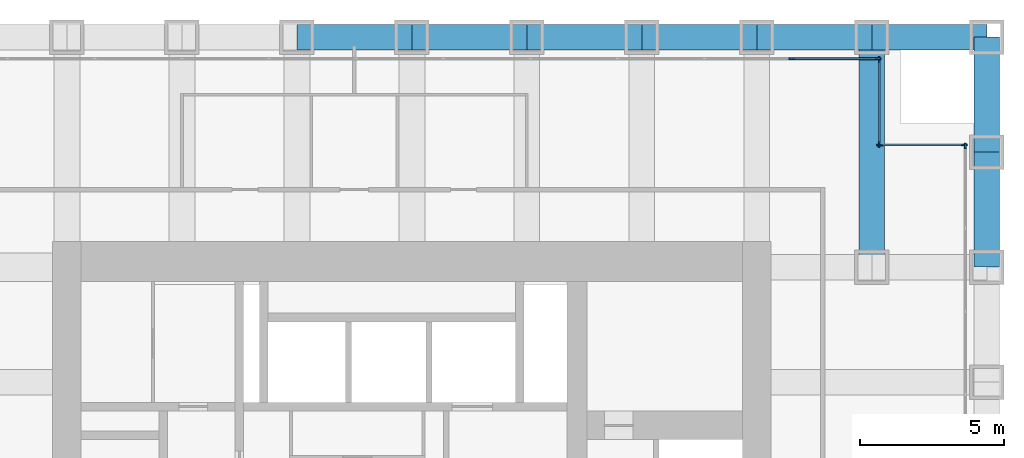
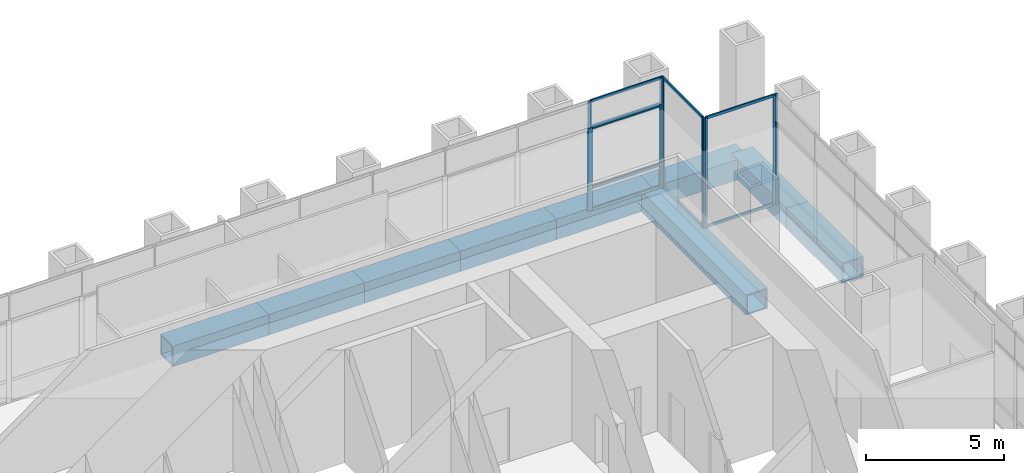
# One storey, part 11 of 18: 19 members, 9 beams, 6 elements without a shape of their own.
"""IFC4 building model written with IfcOpenShell, lengths in metres."""

from ifc_helpers import new_model, si_unit, direction, frame, origin, origin_2d, place, context, subcontext, project, spatial, rectangle, hollow_rectangle, extrude, material, material_profile, profile_set, type_object, element, aggregate, save


model = new_model("IFC4")

# Units and contexts
model_context = context("Model", 3, precision=1e-05, world=origin(), true_north=direction((0.0, 1.0)))
body_context = subcontext(model_context, "Body", "Model", "MODEL_VIEW")
ifc_project = project(units=[si_unit("LENGTHUNIT", "METRE"), si_unit("AREAUNIT", "SQUARE_METRE"), si_unit("VOLUMEUNIT", "CUBIC_METRE"), si_unit("PLANEANGLEUNIT", "RADIAN"), si_unit("MASSUNIT", "GRAM", prefix="KILO")], contexts=[model_context])

# Site, building, storey
site_placement = place(None, origin())
site = spatial("IfcSite", under=ifc_project, at=site_placement, CompositionType="ELEMENT")
building_placement = place(site_placement, origin())
building = spatial("IfcBuilding", under=site, at=building_placement, Name="Rimbunsela Tower", CompositionType="ELEMENT")
storey_placement = place(building_placement, frame((0.0, 0.0, 6.0)))
storey = spatial("IfcBuildingStorey", under=building, at=storey_placement, Name="L01", CompositionType="ELEMENT", Elevation=6.0)

# Beams
ifc_material_1 = material(Name="Steel BJ 55 (fy 410 MPa)", Category="steel")
ifc_material_profile_1 = material_profile(ifc_material_1, hollow_rectangle(XDim=0.89990234375, YDim=0.89990234375, WallThickness=0.06005859375, at=origin_2d()), Name="BOX 900x900x60")
ifc_profile_set_1 = profile_set([ifc_material_profile_1], Name="Steel BJ 55 (fy 410 MPa)")
beam_type = type_object("IfcBeamType", Name="Beam BOX 900x900x60", PredefinedType="BEAM", material=ifc_profile_set_1)
for number, where, z_axis, x_axis, name in (
    (1, (26.0, 44.0, -0.60009765625), (1.0, 0.0, 0.0), (0.0, 1.0, 0.0), "Beam B1 L01"),
    (2, (30.0, 44.0, -0.60009765625), (1.0, 0.0, 0.0), (0.0, 1.0, 0.0), "Beam B1 L01"),
    (3, (34.0, 44.0, -0.60009765625), (1.0, 0.0, 0.0), (0.0, 1.0, 0.0), "Beam B1 L01"),
    (4, (38.0, 44.0, -0.60009765625), (1.0, 0.0, 0.0), (0.0, 1.0, 0.0), "Beam B1 L01"),
    (5, (42.0, 44.0, -0.60009765625), (1.0, 0.0, 0.0), (0.0, 1.0, 0.0), "Beam B1 L01"),
):
    element("IfcBeam", number, at=place(storey_placement, frame(where, z_axis=z_axis, x_axis=x_axis)), inside=storey, type_object=beam_type, Name=name, PredefinedType="BEAM", context=body_context, shape_type="SweptSolid", body=[
        extrude(hollow_rectangle(XDim=0.89990234375, YDim=0.89990234375, WallThickness=0.06005859375, at=origin_2d()), origin(), (0.0, 0.0, 1.0), 4.0),
    ])
beam_placement = place(storey_placement, frame((46.0, 36.0, -0.60009765625), z_axis=(0.0, 1.0, 0.0), x_axis=(-1.0, 0.0, 0.0)))
element("IfcBeam", 6, at=beam_placement, inside=storey, type_object=beam_type, Name="Beam B1 L01", PredefinedType="BEAM", context=body_context, shape_type="SweptSolid", body=[
    extrude(hollow_rectangle(XDim=0.89990234375, YDim=0.89990234375, WallThickness=0.06005859375, at=origin_2d()), origin(), (0.0, 0.0, 1.0), 8.0),
])
for number, where, z_axis, x_axis, name in (
    (7, (46.0, 44.0, -0.60009765625), (1.0, 0.0, 0.0), (0.0, 1.0, 0.0), "Beam B1 L01"),
    (8, (50.0, 36.0, -0.60009765625), (0.0, 1.0, 0.0), (-1.0, 0.0, 0.0), "Beam B1 L01"),
    (9, (50.0, 40.0, -0.60009765625), (0.0, 1.0, 0.0), (-1.0, 0.0, 0.0), "Beam B1 L01"),
):
    element("IfcBeam", number, at=place(storey_placement, frame(where, z_axis=z_axis, x_axis=x_axis)), inside=storey, type_object=beam_type, Name=name, PredefinedType="BEAM", context=body_context, shape_type="SweptSolid", body=[
        extrude(hollow_rectangle(XDim=0.89990234375, YDim=0.89990234375, WallThickness=0.06005859375, at=origin_2d()), origin(), (0.0, 0.0, 1.0), 4.0),
    ])

# Curtain wall, member
ifc_material_2 = material(Name="Aluminium curtain wall", Category="aluminium")
curtain_wall_type_1 = type_object("IfcCurtainWallType", Name="Spandrel wall", PredefinedType="USERDEFINED", material=ifc_material_2)
curtain_wall_1_placement = place(storey_placement, origin())
curtain_wall_1 = element("IfcCurtainWall", 10, at=curtain_wall_1_placement, inside=storey, type_object=curtain_wall_type_1, Name="Spandrel wall L01", ObjectType="SPANDREL WALL", PredefinedType="USERDEFINED")
ifc_material_3 = material(Name="Aluminium mullion", Category="aluminium")
ifc_material_profile_2 = material_profile(ifc_material_3, rectangle(XDim=0.06005859375, YDim=0.159912109375, at=origin_2d()), Name="Mullion 60x160")
ifc_profile_set_2 = profile_set([ifc_material_profile_2], Name="Aluminium mullion")
member_type_1 = type_object("IfcMemberType", Name="Curtain wall mullion 60x160", PredefinedType="MULLION", material=ifc_profile_set_2)
member_1_placement = place(storey_placement, frame((49.25, 40.219970703125, 3.64990234375), z_axis=(0.0, 0.0, 1.0), x_axis=(-1.0, 0.0, 0.0)))
member_1 = element("IfcMember", 11, at=member_1_placement, type_object=member_type_1, Name="CW7 mullion 15", PredefinedType="MULLION", context=body_context, shape_type="SweptSolid", body=[
    extrude(rectangle(XDim=0.06005859375, YDim=0.159912109375, at=origin_2d()), origin(), (0.0, 0.0, 1.0), 1.2001953125),
])
aggregate(curtain_wall_1, [member_1])

# Curtain wall, members
curtain_wall_2_placement = place(storey_placement, origin())
curtain_wall_2 = element("IfcCurtainWall", 12, at=curtain_wall_2_placement, inside=storey, type_object=curtain_wall_type_1, Name="Spandrel wall L01", ObjectType="SPANDREL WALL", PredefinedType="USERDEFINED")
member_2_placement = place(storey_placement, frame((46.219970703125, 43.25, 3.64990234375), z_axis=(0.0, 0.0, 1.0), x_axis=(0.0, -1.0, 0.0)))
member_2 = element("IfcMember", 13, at=member_2_placement, type_object=member_type_1, Name="CW7 mullion 1", PredefinedType="MULLION", context=body_context, shape_type="SweptSolid", body=[
    extrude(rectangle(XDim=0.06005859375, YDim=0.159912109375, at=origin_2d()), origin(), (0.0, 0.0, 1.0), 1.2001953125),
])
member_3_placement = place(storey_placement, frame((43.21875, 43.25, 3.64990234375), z_axis=(0.0, 0.0, 1.0), x_axis=(0.0, -1.0, 0.0)))
member_3 = element("IfcMember", 14, at=member_3_placement, type_object=member_type_1, Name="CW7 mullion 2", PredefinedType="MULLION", context=body_context, shape_type="SweptSolid", body=[
    extrude(rectangle(XDim=0.06005859375, YDim=0.159912109375, at=origin_2d()), origin(), (0.0, 0.0, 1.0), 1.2001953125),
])

# Curtain wall, member
ifc_material_4 = material(Name="Aluminium curtain wall", Category="aluminium")
curtain_wall_type_2 = type_object("IfcCurtainWallType", Name="Podium glazing", PredefinedType="USERDEFINED", material=ifc_material_4)
curtain_wall_3_placement = place(storey_placement, origin())
curtain_wall_3 = element("IfcCurtainWall", 15, at=curtain_wall_3_placement, inside=storey, type_object=curtain_wall_type_2, Name="Podium glazing L01", ObjectType="PODIUM GLAZING", PredefinedType="USERDEFINED")
ifc_material_5 = material(Name="Aluminium mullion", Category="aluminium")
ifc_material_profile_3 = material_profile(ifc_material_5, rectangle(XDim=0.06005859375, YDim=0.199951171875, at=origin_2d()), Name="Mullion 60x200")
ifc_profile_set_3 = profile_set([ifc_material_profile_3], Name="Aluminium mullion")
member_type_2 = type_object("IfcMemberType", Name="Curtain wall mullion 60x200", PredefinedType="MULLION", material=ifc_profile_set_3)
member_4_placement = place(storey_placement, frame((49.25, 40.219970703125, 0.0), z_axis=(0.0, 0.0, 1.0), x_axis=(-1.0, 0.0, 0.0)))
member_4 = element("IfcMember", 16, at=member_4_placement, type_object=member_type_2, Name="CW1 mullion 15", PredefinedType="MULLION", context=body_context, shape_type="SweptSolid", body=[
    extrude(rectangle(XDim=0.06005859375, YDim=0.199951171875, at=origin_2d()), origin(), (0.0, 0.0, 1.0), 3.64990234375),
])
aggregate(curtain_wall_3, [member_4])

# Curtain wall, members
ifc_material_6 = material(Name="Aluminium curtain wall", Category="aluminium")
curtain_wall_type_3 = type_object("IfcCurtainWallType", Name="Corner glazing", PredefinedType="USERDEFINED", material=ifc_material_6)
curtain_wall_4_placement = place(storey_placement, origin())
curtain_wall_4 = element("IfcCurtainWall", 17, at=curtain_wall_4_placement, inside=storey, type_object=curtain_wall_type_3, Name="Corner glazing L01", ObjectType="CORNER GLAZING", PredefinedType="USERDEFINED")
member_5_placement = place(storey_placement, frame((49.219970703125, 40.25, 0.0), z_axis=(0.0, 0.0, 1.0), x_axis=(0.0, -1.0, 0.0)))
member_5 = element("IfcMember", 18, at=member_5_placement, type_object=member_type_2, Name="CW5 mullion 1", PredefinedType="MULLION", context=body_context, shape_type="SweptSolid", body=[
    extrude(rectangle(XDim=0.06005859375, YDim=0.199951171875, at=origin_2d()), origin(), (0.0, 0.0, 1.0), 4.85009765625),
])
member_6_placement = place(storey_placement, frame((46.280029296875, 40.25, 0.0), z_axis=(0.0, 0.0, 1.0), x_axis=(0.0, -1.0, 0.0)))
member_6 = element("IfcMember", 19, at=member_6_placement, type_object=member_type_2, Name="CW5 mullion 2", PredefinedType="MULLION", context=body_context, shape_type="SweptSolid", body=[
    extrude(rectangle(XDim=0.06005859375, YDim=0.199951171875, at=origin_2d()), origin(), (0.0, 0.0, 1.0), 4.85009765625),
])

curtain_wall_5_placement = place(storey_placement, origin())
curtain_wall_5 = element("IfcCurtainWall", 20, at=curtain_wall_5_placement, inside=storey, type_object=curtain_wall_type_3, Name="Corner glazing L01", ObjectType="CORNER GLAZING", PredefinedType="USERDEFINED")
member_7_placement = place(storey_placement, frame((46.25, 40.280029296875, 0.0), z_axis=(0.0, 0.0, 1.0), x_axis=(-1.0, 0.0, 0.0)))
member_7 = element("IfcMember", 21, at=member_7_placement, type_object=member_type_2, Name="CW5 mullion 1", PredefinedType="MULLION", context=body_context, shape_type="SweptSolid", body=[
    extrude(rectangle(XDim=0.06005859375, YDim=0.199951171875, at=origin_2d()), origin(), (0.0, 0.0, 1.0), 4.85009765625),
])
member_8_placement = place(storey_placement, frame((46.25, 43.219970703125, 0.0), z_axis=(0.0, 0.0, 1.0), x_axis=(-1.0, 0.0, 0.0)))
member_8 = element("IfcMember", 22, at=member_8_placement, type_object=member_type_2, Name="CW5 mullion 2", PredefinedType="MULLION", context=body_context, shape_type="SweptSolid", body=[
    extrude(rectangle(XDim=0.06005859375, YDim=0.199951171875, at=origin_2d()), origin(), (0.0, 0.0, 1.0), 4.85009765625),
])

curtain_wall_6_placement = place(storey_placement, origin())
curtain_wall_6 = element("IfcCurtainWall", 23, at=curtain_wall_6_placement, inside=storey, type_object=curtain_wall_type_2, Name="Podium glazing L01", ObjectType="PODIUM GLAZING", PredefinedType="USERDEFINED")
member_9_placement = place(storey_placement, frame((46.219970703125, 43.25, 0.0), z_axis=(0.0, 0.0, 1.0), x_axis=(0.0, -1.0, 0.0)))
member_9 = element("IfcMember", 24, at=member_9_placement, type_object=member_type_2, Name="CW1 mullion 1", PredefinedType="MULLION", context=body_context, shape_type="SweptSolid", body=[
    extrude(rectangle(XDim=0.06005859375, YDim=0.199951171875, at=origin_2d()), origin(), (0.0, 0.0, 1.0), 3.64990234375),
])
member_10_placement = place(storey_placement, frame((43.21875, 43.25, 0.0), z_axis=(0.0, 0.0, 1.0), x_axis=(0.0, -1.0, 0.0)))
member_10 = element("IfcMember", 25, at=member_10_placement, type_object=member_type_2, Name="CW1 mullion 2", PredefinedType="MULLION", context=body_context, shape_type="SweptSolid", body=[
    extrude(rectangle(XDim=0.06005859375, YDim=0.199951171875, at=origin_2d()), origin(), (0.0, 0.0, 1.0), 3.64990234375),
])

# Member
ifc_material_7 = material(Name="Aluminium transom", Category="aluminium")
ifc_material_profile_4 = material_profile(ifc_material_7, rectangle(XDim=0.06005859375, YDim=0.1201171875, at=origin_2d()), Name="Transom 60x120")
ifc_profile_set_4 = profile_set([ifc_material_profile_4], Name="Aluminium transom")
member_type_3 = type_object("IfcMemberType", Name="Curtain wall transom 60x120", PredefinedType="USERDEFINED", material=ifc_profile_set_4)
member_11_placement = place(storey_placement, frame((49.18994140625, 40.25, 0.030029296875), z_axis=(-1.0, 0.0, 0.0), x_axis=(0.0, -1.0, 0.0)))
member_11 = element("IfcMember", 26, at=member_11_placement, type_object=member_type_3, Name="CW5 transom 1.1", ObjectType="TRANSOM", PredefinedType="USERDEFINED", context=body_context, shape_type="SweptSolid", body=[
    extrude(rectangle(XDim=0.06005859375, YDim=0.1201171875, at=origin_2d()), origin(), (0.0, 0.0, 1.0), 2.8798828125),
])

member_12_placement = place(storey_placement, frame((49.18994140625, 40.25, 4.820068359375), z_axis=(-1.0, 0.0, 0.0), x_axis=(0.0, -1.0, 0.0)))
member_12 = element("IfcMember", 27, at=member_12_placement, type_object=member_type_3, Name="CW5 transom 1.2", ObjectType="TRANSOM", PredefinedType="USERDEFINED", context=body_context, shape_type="SweptSolid", body=[
    extrude(rectangle(XDim=0.06005859375, YDim=0.1201171875, at=origin_2d()), origin(), (0.0, 0.0, 1.0), 2.8798828125),
])

aggregate(curtain_wall_4, [member_5, member_6, member_11, member_12])

member_13_placement = place(storey_placement, frame((46.25, 40.31005859375, 0.030029296875), z_axis=(0.0, 1.0, 0.0), x_axis=(-1.0, 0.0, 0.0)))
member_13 = element("IfcMember", 28, at=member_13_placement, type_object=member_type_3, Name="CW5 transom 1.1", ObjectType="TRANSOM", PredefinedType="USERDEFINED", context=body_context, shape_type="SweptSolid", body=[
    extrude(rectangle(XDim=0.06005859375, YDim=0.1201171875, at=origin_2d()), origin(), (0.0, 0.0, 1.0), 2.8798828125),
])

member_14_placement = place(storey_placement, frame((46.25, 40.31005859375, 4.820068359375), z_axis=(0.0, 1.0, 0.0), x_axis=(-1.0, 0.0, 0.0)))
member_14 = element("IfcMember", 29, at=member_14_placement, type_object=member_type_3, Name="CW5 transom 1.2", ObjectType="TRANSOM", PredefinedType="USERDEFINED", context=body_context, shape_type="SweptSolid", body=[
    extrude(rectangle(XDim=0.06005859375, YDim=0.1201171875, at=origin_2d()), origin(), (0.0, 0.0, 1.0), 2.8798828125),
])

aggregate(curtain_wall_5, [member_7, member_8, member_13, member_14])

member_15_placement = place(storey_placement, frame((46.18994140625, 43.25, 0.030029296875), z_axis=(-1.0, 0.0, 0.0), x_axis=(0.0, -1.0, 0.0)))
member_15 = element("IfcMember", 30, at=member_15_placement, type_object=member_type_3, Name="CW1 transom 1.1", ObjectType="TRANSOM", PredefinedType="USERDEFINED", context=body_context, shape_type="SweptSolid", body=[
    extrude(rectangle(XDim=0.06005859375, YDim=0.1201171875, at=origin_2d()), origin(), (0.0, 0.0, 1.0), 2.941162109375),
])

member_16_placement = place(storey_placement, frame((46.18994140625, 43.25, 1.0), z_axis=(-1.0, 0.0, 0.0), x_axis=(0.0, -1.0, 0.0)))
member_16 = element("IfcMember", 31, at=member_16_placement, type_object=member_type_3, Name="CW1 transom 1.2", ObjectType="TRANSOM", PredefinedType="USERDEFINED", context=body_context, shape_type="SweptSolid", body=[
    extrude(rectangle(XDim=0.06005859375, YDim=0.1201171875, at=origin_2d()), origin(), (0.0, 0.0, 1.0), 2.941162109375),
])

member_17_placement = place(storey_placement, frame((46.18994140625, 43.25, 3.6201171875), z_axis=(-1.0, 0.0, 0.0), x_axis=(0.0, -1.0, 0.0)))
member_17 = element("IfcMember", 32, at=member_17_placement, type_object=member_type_3, Name="CW1 transom 1.3", ObjectType="TRANSOM", PredefinedType="USERDEFINED", context=body_context, shape_type="SweptSolid", body=[
    extrude(rectangle(XDim=0.06005859375, YDim=0.1201171875, at=origin_2d()), origin(), (0.0, 0.0, 1.0), 2.941162109375),
])

aggregate(curtain_wall_6, [member_9, member_10, member_15, member_16, member_17])

member_18_placement = place(storey_placement, frame((46.18994140625, 43.25, 3.679931640625), z_axis=(-1.0, 0.0, 0.0), x_axis=(0.0, -1.0, 0.0)))
member_18 = element("IfcMember", 33, at=member_18_placement, type_object=member_type_3, Name="CW7 transom 1.1", ObjectType="TRANSOM", PredefinedType="USERDEFINED", context=body_context, shape_type="SweptSolid", body=[
    extrude(rectangle(XDim=0.06005859375, YDim=0.1201171875, at=origin_2d()), origin(), (0.0, 0.0, 1.0), 2.941162109375),
])

member_19_placement = place(storey_placement, frame((46.18994140625, 43.25, 4.820068359375), z_axis=(-1.0, 0.0, 0.0), x_axis=(0.0, -1.0, 0.0)))
member_19 = element("IfcMember", 34, at=member_19_placement, type_object=member_type_3, Name="CW7 transom 1.2", ObjectType="TRANSOM", PredefinedType="USERDEFINED", context=body_context, shape_type="SweptSolid", body=[
    extrude(rectangle(XDim=0.06005859375, YDim=0.1201171875, at=origin_2d()), origin(), (0.0, 0.0, 1.0), 2.941162109375),
])

aggregate(curtain_wall_2, [member_2, member_3, member_18, member_19])

save(model, "model.ifc")
